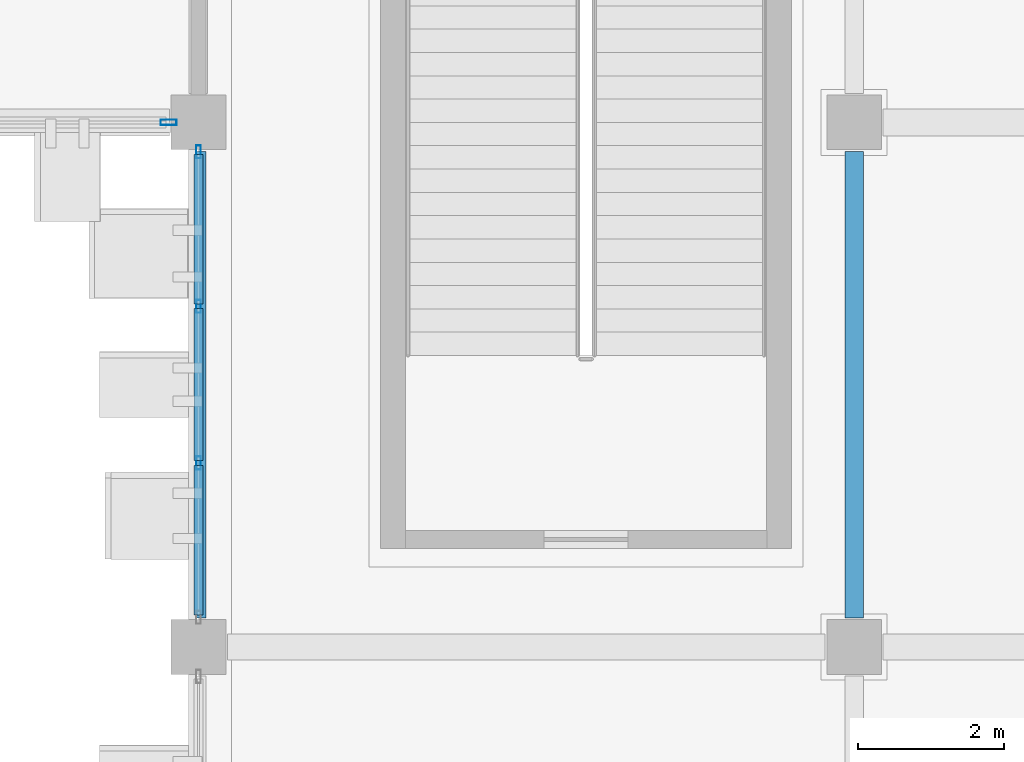
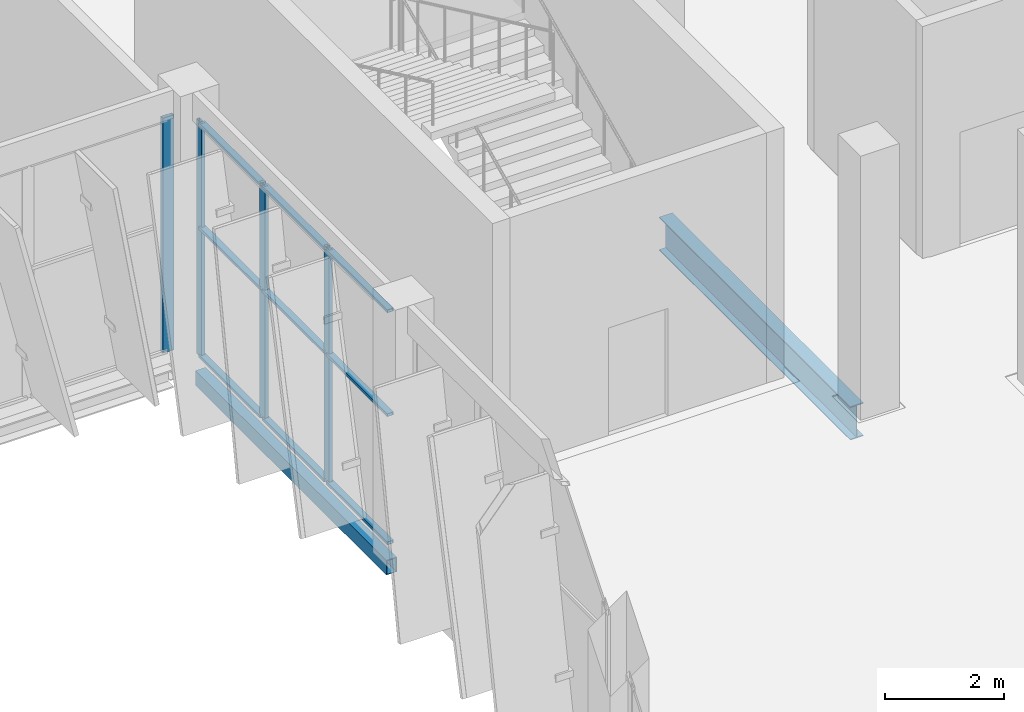
# One storey, part 47 of 189: 13 members, 2 beams, 2 elements without a shape of their own.
"""IFC4 building model written with IfcOpenShell, lengths in metres."""

from ifc_helpers import new_model, si_unit, direction, frame, origin, origin_2d, place, context, subcontext, project, spatial, hollow_rectangle, i_section, extrude, material, layer, layer_set, material_profile, profile_set, type_object, element, aggregate, save


model = new_model("IFC4")

# Units and contexts
model_context = context("Model", 3, precision=1e-05, world=origin(), true_north=direction((0.0, 1.0)))
body_context = subcontext(model_context, "Body", "Model", "MODEL_VIEW")
ifc_project = project(units=[si_unit("LENGTHUNIT", "METRE"), si_unit("AREAUNIT", "SQUARE_METRE"), si_unit("VOLUMEUNIT", "CUBIC_METRE"), si_unit("PLANEANGLEUNIT", "RADIAN"), si_unit("MASSUNIT", "GRAM", prefix="KILO")], contexts=[model_context])

# Site, building, storey
site_placement = place(None, origin())
site = spatial("IfcSite", under=ifc_project, at=site_placement, CompositionType="ELEMENT")
building_placement = place(site_placement, origin())
building = spatial("IfcBuilding", under=site, at=building_placement, Name="Celestram Park Convention Centre", CompositionType="ELEMENT")
storey_placement = place(building_placement, frame((0.0, 0.0, 5.39990234375)))
storey = spatial("IfcBuildingStorey", under=building, at=storey_placement, Name="L01", CompositionType="ELEMENT", Elevation=5.39990234375)

# Curtain wall, members
ifc_material_1 = material(Name="Anodised Aluminium Alloy 6063-T6", Category="aluminium")
ifc_layer_1 = layer(ifc_material_1, 0.179931640625)
ifc_layer_set_1 = layer_set([ifc_layer_1], Name="Anodised Aluminium Alloy 6063-T6")
curtain_wall_type_1 = type_object("IfcCurtainWallType", Name="ARC-CW-645X480", PredefinedType="NOTDEFINED", material=ifc_layer_set_1)
curtain_wall_1_placement = place(storey_placement, origin())
curtain_wall_1 = element("IfcCurtainWall", 1, at=curtain_wall_1_placement, inside=storey, type_object=curtain_wall_type_1, Name="Unitised curtain wall CU-L01-040", PredefinedType="NOTDEFINED")
ifc_material_profile_1 = material_profile(ifc_material_1, hollow_rectangle(XDim=0.06494140625, YDim=0.179931640625, WallThickness=0.00390625, at=origin_2d()), Name="ALU65X180X4")
ifc_profile_set_1 = profile_set([ifc_material_profile_1], Name="Anodised Aluminium Alloy 6063-T6")
member_type_1 = type_object("IfcMemberType", Name="ARC-CWM-150", PredefinedType="MULLION", material=ifc_profile_set_1)
member_1_placement = place(storey_placement, frame((144.0, 16.92431640625, 0.0), z_axis=(0.0, 0.0, 1.0), x_axis=(-1.0, 0.0, 0.0)))
member_1 = element("IfcMember", 2, at=member_1_placement, type_object=member_type_1, Name="CW-64X48 mullion 2", PredefinedType="MULLION", context=body_context, shape_type="SweptSolid", body=[
    extrude(hollow_rectangle(XDim=0.06494140625, YDim=0.179931640625, WallThickness=0.00390625, at=origin_2d()), origin(), (0.0, 0.0, 1.0), 4.80419921875),
])
member_2_placement = place(storey_placement, frame((144.0, 19.07568359375, 0.0), z_axis=(0.0, 0.0, 1.0), x_axis=(-1.0, 0.0, 0.0)))
member_2 = element("IfcMember", 3, at=member_2_placement, type_object=member_type_1, Name="CW-64X48 mullion 3", PredefinedType="MULLION", context=body_context, shape_type="SweptSolid", body=[
    extrude(hollow_rectangle(XDim=0.06494140625, YDim=0.179931640625, WallThickness=0.00390625, at=origin_2d()), origin(), (0.0, 0.0, 1.0), 4.80419921875),
])
member_3_placement = place(storey_placement, frame((144.0, 21.194580078125, 0.0), z_axis=(0.0, 0.0, 1.0), x_axis=(-1.0, 0.0, 0.0)))
member_3 = element("IfcMember", 4, at=member_3_placement, type_object=member_type_1, Name="CW-64X48 mullion 4", PredefinedType="MULLION", context=body_context, shape_type="SweptSolid", body=[
    extrude(hollow_rectangle(XDim=0.06494140625, YDim=0.179931640625, WallThickness=0.00390625, at=origin_2d()), origin(), (0.0, 0.0, 1.0), 4.80419921875),
])

# Curtain wall, member
ifc_layer_2 = layer(ifc_material_1, 0.179931640625)
ifc_layer_set_2 = layer_set([ifc_layer_2], Name="Anodised Aluminium Alloy 6063-T6")
curtain_wall_type_2 = type_object("IfcCurtainWallType", Name="ARC-CW-825X480", PredefinedType="NOTDEFINED", material=ifc_layer_set_2)
curtain_wall_2_placement = place(storey_placement, origin())
curtain_wall_2 = element("IfcCurtainWall", 5, at=curtain_wall_2_placement, inside=storey, type_object=curtain_wall_type_2, Name="Unitised curtain wall CU-L01-041", PredefinedType="NOTDEFINED")
ifc_material_profile_2 = material_profile(ifc_material_1, hollow_rectangle(XDim=0.074951171875, YDim=0.219970703125, WallThickness=0.00390625, at=origin_2d()), Name="ALU75X220X4")
ifc_profile_set_2 = profile_set([ifc_material_profile_2], Name="Anodised Aluminium Alloy 6063-T6")
member_type_2 = type_object("IfcMemberType", Name="ARC-CWM-180", PredefinedType="MULLION", material=ifc_profile_set_2)
member_4_placement = place(storey_placement, frame((143.589599609375, 21.60009765625, 0.0), z_axis=(0.0, 0.0, 1.0), x_axis=(0.0, -1.0, 0.0)))
member_4 = element("IfcMember", 6, at=member_4_placement, type_object=member_type_2, Name="CW-82X48 mullion 1", PredefinedType="MULLION", context=body_context, shape_type="SweptSolid", body=[
    extrude(hollow_rectangle(XDim=0.074951171875, YDim=0.219970703125, WallThickness=0.00390625, at=origin_2d()), origin(), (0.0, 0.0, 1.0), 4.80419921875),
])
aggregate(curtain_wall_2, [member_4])

# Member
ifc_material_profile_3 = material_profile(ifc_material_1, hollow_rectangle(XDim=0.1201171875, YDim=0.06005859375, WallThickness=0.0029296875, at=origin_2d()), Name="ALU120X60X3")
ifc_profile_set_3 = profile_set([ifc_material_profile_3], Name="Anodised Aluminium Alloy 6063-T6")
member_type_3 = type_object("IfcMemberType", Name="ARC-CWT-120", PredefinedType="USERDEFINED", material=ifc_profile_set_3)
member_5_placement = place(storey_placement, frame((144.0, 14.837890625, 0.030029296875), z_axis=(0.0, 1.0, 0.0), x_axis=(-1.0, 0.0, 0.0)))
member_5 = element("IfcMember", 7, at=member_5_placement, type_object=member_type_3, Name="CW-64X48 transom 1.1", ObjectType="TRANSOM", PredefinedType="USERDEFINED", context=body_context, shape_type="SweptSolid", body=[
    extrude(hollow_rectangle(XDim=0.1201171875, YDim=0.06005859375, WallThickness=0.0029296875, at=origin_2d()), origin(), (0.0, 0.0, 1.0), 2.053955078125),
])

member_6_placement = place(storey_placement, frame((144.0, 14.837890625, 2.650146484375), z_axis=(0.0, 1.0, 0.0), x_axis=(-1.0, 0.0, 0.0)))
member_6 = element("IfcMember", 8, at=member_6_placement, type_object=member_type_3, Name="CW-64X48 transom 1.2", ObjectType="TRANSOM", PredefinedType="USERDEFINED", context=body_context, shape_type="SweptSolid", body=[
    extrude(hollow_rectangle(XDim=0.1201171875, YDim=0.06005859375, WallThickness=0.0029296875, at=origin_2d()), origin(), (0.0, 0.0, 1.0), 2.053955078125),
])

member_7_placement = place(storey_placement, frame((144.0, 14.837890625, 4.774169921875), z_axis=(0.0, 1.0, 0.0), x_axis=(-1.0, 0.0, 0.0)))
member_7 = element("IfcMember", 9, at=member_7_placement, type_object=member_type_3, Name="CW-64X48 transom 1.3", ObjectType="TRANSOM", PredefinedType="USERDEFINED", context=body_context, shape_type="SweptSolid", body=[
    extrude(hollow_rectangle(XDim=0.1201171875, YDim=0.06005859375, WallThickness=0.0029296875, at=origin_2d()), origin(), (0.0, 0.0, 1.0), 2.053955078125),
])

member_8_placement = place(storey_placement, frame((144.0, 16.956787109375, 0.030029296875), z_axis=(0.0, 1.0, 0.0), x_axis=(-1.0, 0.0, 0.0)))
member_8 = element("IfcMember", 10, at=member_8_placement, type_object=member_type_3, Name="CW-64X48 transom 2.1", ObjectType="TRANSOM", PredefinedType="USERDEFINED", context=body_context, shape_type="SweptSolid", body=[
    extrude(hollow_rectangle(XDim=0.1201171875, YDim=0.06005859375, WallThickness=0.0029296875, at=origin_2d()), origin(), (0.0, 0.0, 1.0), 2.08642578125),
])

member_9_placement = place(storey_placement, frame((144.0, 16.956787109375, 2.650146484375), z_axis=(0.0, 1.0, 0.0), x_axis=(-1.0, 0.0, 0.0)))
member_9 = element("IfcMember", 11, at=member_9_placement, type_object=member_type_3, Name="CW-64X48 transom 2.2", ObjectType="TRANSOM", PredefinedType="USERDEFINED", context=body_context, shape_type="SweptSolid", body=[
    extrude(hollow_rectangle(XDim=0.1201171875, YDim=0.06005859375, WallThickness=0.0029296875, at=origin_2d()), origin(), (0.0, 0.0, 1.0), 2.08642578125),
])

member_10_placement = place(storey_placement, frame((144.0, 16.956787109375, 4.774169921875), z_axis=(0.0, 1.0, 0.0), x_axis=(-1.0, 0.0, 0.0)))
member_10 = element("IfcMember", 12, at=member_10_placement, type_object=member_type_3, Name="CW-64X48 transom 2.3", ObjectType="TRANSOM", PredefinedType="USERDEFINED", context=body_context, shape_type="SweptSolid", body=[
    extrude(hollow_rectangle(XDim=0.1201171875, YDim=0.06005859375, WallThickness=0.0029296875, at=origin_2d()), origin(), (0.0, 0.0, 1.0), 2.08642578125),
])

member_11_placement = place(storey_placement, frame((144.0, 19.108154296875, 0.030029296875), z_axis=(0.0, 1.0, 0.0), x_axis=(-1.0, 0.0, 0.0)))
member_11 = element("IfcMember", 13, at=member_11_placement, type_object=member_type_3, Name="CW-64X48 transom 3.1", ObjectType="TRANSOM", PredefinedType="USERDEFINED", context=body_context, shape_type="SweptSolid", body=[
    extrude(hollow_rectangle(XDim=0.1201171875, YDim=0.06005859375, WallThickness=0.0029296875, at=origin_2d()), origin(), (0.0, 0.0, 1.0), 2.053955078125),
])

member_12_placement = place(storey_placement, frame((144.0, 19.108154296875, 2.650146484375), z_axis=(0.0, 1.0, 0.0), x_axis=(-1.0, 0.0, 0.0)))
member_12 = element("IfcMember", 14, at=member_12_placement, type_object=member_type_3, Name="CW-64X48 transom 3.2", ObjectType="TRANSOM", PredefinedType="USERDEFINED", context=body_context, shape_type="SweptSolid", body=[
    extrude(hollow_rectangle(XDim=0.1201171875, YDim=0.06005859375, WallThickness=0.0029296875, at=origin_2d()), origin(), (0.0, 0.0, 1.0), 2.053955078125),
])

member_13_placement = place(storey_placement, frame((144.0, 19.108154296875, 4.774169921875), z_axis=(0.0, 1.0, 0.0), x_axis=(-1.0, 0.0, 0.0)))
member_13 = element("IfcMember", 15, at=member_13_placement, type_object=member_type_3, Name="CW-64X48 transom 3.3", ObjectType="TRANSOM", PredefinedType="USERDEFINED", context=body_context, shape_type="SweptSolid", body=[
    extrude(hollow_rectangle(XDim=0.1201171875, YDim=0.06005859375, WallThickness=0.0029296875, at=origin_2d()), origin(), (0.0, 0.0, 1.0), 2.053955078125),
])

aggregate(curtain_wall_1, [member_1, member_2, member_3, member_5, member_6, member_7, member_8, member_9, member_10, member_11, member_12, member_13])

# Beams
ifc_material_2 = material(Name="Steel ASTM A992 Grade 50", Category="steel")
ifc_material_profile_4 = material_profile(ifc_material_2, i_section(OverallWidth=0.25390625, OverallDepth=0.68310546875, WebThickness=0.012451171875, FlangeThickness=0.01904296875, at=origin_2d()), Name="W27X94")
ifc_profile_set_4 = profile_set([ifc_material_profile_4], Name="Steel ASTM A992 Grade 50")
beam_type_1 = type_object("IfcBeamType", Name="STR-BM-W27X94", PredefinedType="BEAM", material=ifc_profile_set_4)
beam_1_placement = place(storey_placement, frame((153.0, 14.798095703125, -0.621337890625), z_axis=(0.0, 1.0, 0.0), x_axis=(-1.0, 0.0, 0.0)))
element("IfcBeam", 16, at=beam_1_placement, inside=storey, type_object=beam_type_1, Name="Primary Y-girder BG-L01-0361", PredefinedType="BEAM", context=body_context, shape_type="SweptSolid", body=[
    extrude(i_section(OverallWidth=0.25390625, OverallDepth=0.68310546875, WebThickness=0.012451171875, FlangeThickness=0.01904296875, at=origin_2d()), origin(), (0.0, 0.0, 1.0), 6.40380859375),
])
ifc_material_3 = material(Name="Steel ASTM A500 Grade C", Category="steel")
ifc_material_profile_5 = material_profile(ifc_material_3, hollow_rectangle(XDim=0.199951171875, YDim=0.300048828125, WallThickness=0.011962890625, at=origin_2d()), Name="HSS300X200X12")
ifc_profile_set_5 = profile_set([ifc_material_profile_5], Name="Steel ASTM A500 Grade C")
beam_type_2 = type_object("IfcBeamType", Name="STR-SPN-HSS300X200", PredefinedType="SPANDREL", material=ifc_profile_set_5)
beam_2_placement = place(storey_placement, frame((144.0, 14.798095703125, -0.429931640625), z_axis=(0.0, 1.0, 0.0), x_axis=(-1.0, 0.0, 0.0)))
element("IfcBeam", 17, at=beam_2_placement, inside=storey, type_object=beam_type_2, Name="Primary Y-girder BG-L01-0330", PredefinedType="SPANDREL", context=body_context, shape_type="SweptSolid", body=[
    extrude(hollow_rectangle(XDim=0.199951171875, YDim=0.300048828125, WallThickness=0.011962890625, at=origin_2d()), origin(), (0.0, 0.0, 1.0), 6.40380859375),
])

save(model, "model.ifc")
